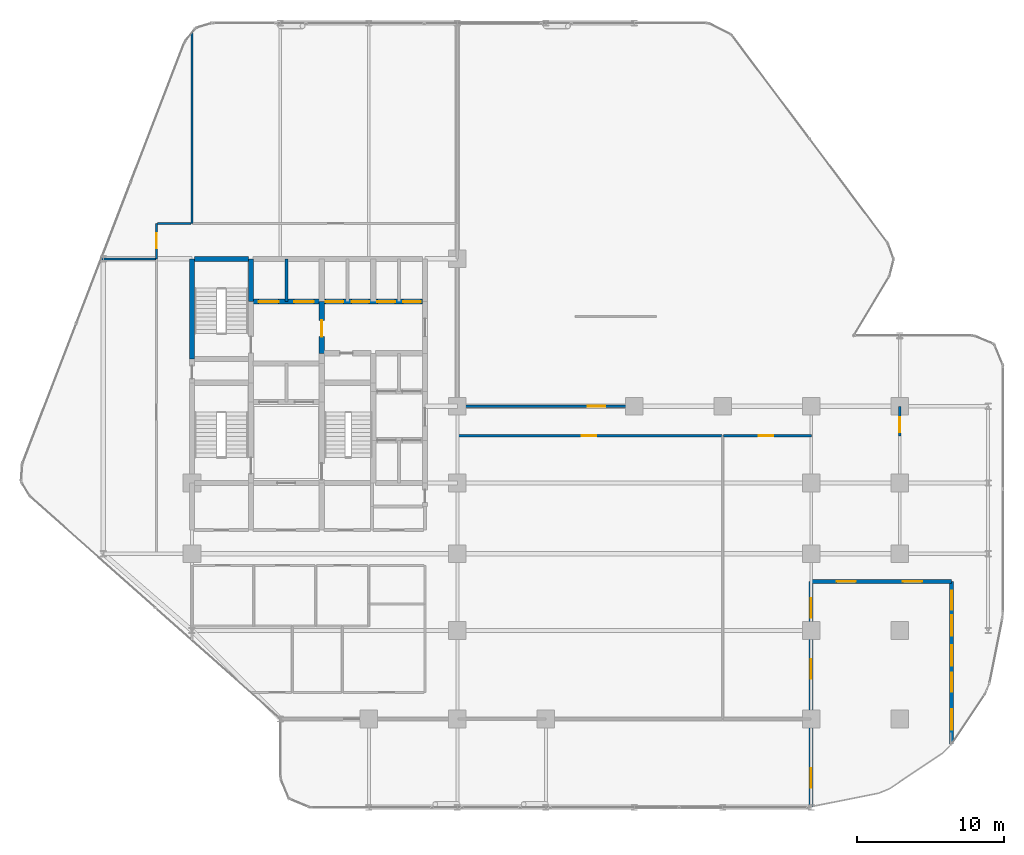
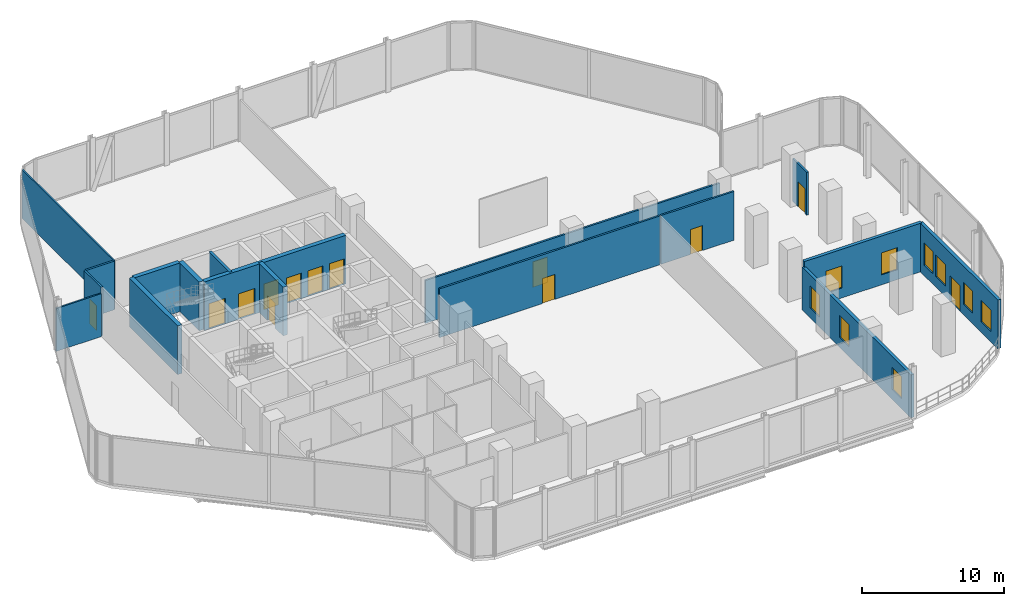
# One storey, part 28 of 30: 17 walls, 13 doors, 9 windows, 22 openings.
"""IFC4 building model written with IfcOpenShell, lengths in metres."""

from ifc_helpers import new_model, si_unit, direction, frame, frame_2d, origin, place, context, subcontext, project, spatial, rectangle, extrude, material, layer, layer_set, type_object, element, fill, save


model = new_model("IFC4")

# Units and contexts
model_context = context("Model", 3, precision=1e-05, world=origin(), true_north=direction((0.0, 1.0)))
body_context = subcontext(model_context, "Body", "Model", "MODEL_VIEW")
ifc_project = project(units=[si_unit("LENGTHUNIT", "METRE"), si_unit("AREAUNIT", "SQUARE_METRE"), si_unit("VOLUMEUNIT", "CUBIC_METRE"), si_unit("PLANEANGLEUNIT", "RADIAN"), si_unit("MASSUNIT", "GRAM", prefix="KILO")], contexts=[model_context])

# Site, building, storey
site_placement = place(None, origin())
site = spatial("IfcSite", under=ifc_project, at=site_placement, CompositionType="ELEMENT")
building_placement = place(site_placement, origin())
building = spatial("IfcBuilding", under=site, at=building_placement, Name="Keshet Zoharim Tower", CompositionType="ELEMENT")
storey_placement = place(building_placement, frame((0.0, 0.0, 65.60009765625)))
storey = spatial("IfcBuildingStorey", under=building, at=storey_placement, Name="L15", CompositionType="ELEMENT", Elevation=65.60009765625)

# Wall, opening, door
ifc_material_1 = material(Name="Gypsum Plasterboard", Category="gypsum")
ifc_layer_1 = layer(ifc_material_1, 0.14990234375)
ifc_layer_set_1 = layer_set([ifc_layer_1], Name="Gypsum Plasterboard")
wall_type_1 = type_object("IfcWallType", Name="WL-CLIN-150", PredefinedType="STANDARD", material=ifc_layer_set_1)
wall_1_placement = place(storey_placement, frame((12.60009765625, 37.89990234375, 0.0), z_axis=(0.0, 0.0, 1.0), x_axis=(0.0, 1.0, 0.0)))
wall_1 = element("IfcWall", 1, at=wall_1_placement, inside=storey, type_object=wall_type_1, Name="L15 Interior Wall 002", PredefinedType="STANDARD", context=body_context, shape_type="SweptSolid", body=[
    extrude(rectangle(XDim=2.400146484375, YDim=0.14990234375, at=frame_2d((1.2001953125, 0.0))), origin(), (0.0, 0.0, 1.0), 4.184814453125),
])
opening_1_placement = place(wall_1_placement, frame((0.72509765625, 0.0, 0.0)))
opening_1 = element("IfcOpeningElement", 2, at=opening_1_placement, cuts=wall_1, Name="Opening D-F310", PredefinedType="OPENING", context=body_context, shape_type="SweptSolid", body=[
    extrude(rectangle(XDim=1.0, YDim=2.14990234375, at=frame_2d((0.5, 1.074951171875))), frame((0.0, 0.0849609375, 0.0), z_axis=(0.0, -1.0, 0.0), x_axis=(1.0, 0.0, 0.0)), (0.0, 0.0, 1.0), 0.169921875),
])
ifc_material_2 = material(Name="Hardwood Timber", Category="wood")
door_type_1 = type_object("IfcDoorType", Name="DR-FD30-100", OperationType="NOTDEFINED", PredefinedType="DOOR", material=ifc_material_2)
door_1_placement = place(opening_1_placement, origin())
door_1 = element("IfcDoor", 3, at=door_1_placement, inside=storey, type_object=door_type_1, Name="L15 North-West Residents Salon Door", OperationType="SINGLE_SWING_LEFT", OverallHeight=2.14990234375, OverallWidth=1.0, PredefinedType="DOOR", context=body_context, shape_type="SweptSolid", body=[
    extrude(rectangle(XDim=1.0, YDim=2.14990234375, at=frame_2d((0.5, 1.074951171875))), frame((0.0, 0.02490234375, 0.0), z_axis=(0.0, -1.0, 0.0), x_axis=(1.0, 0.0, 0.0)), (0.0, 0.0, 1.0), 0.050048828125),
])
fill(opening_1, door_1)

wall_2_placement = place(storey_placement, frame((63.0, 25.89990234375, 0.0), z_axis=(0.0, 0.0, 1.0), x_axis=(0.0, 1.0, 0.0)))
wall_2 = element("IfcWall", 4, at=wall_2_placement, inside=storey, type_object=wall_type_1, Name="L15 Interior Wall 054", PredefinedType="STANDARD", context=body_context, shape_type="SweptSolid", body=[
    extrude(rectangle(XDim=2.0, YDim=0.14990234375, at=frame_2d((1.0, 0.0))), origin(), (0.0, 0.0, 1.0), 3.684814453125),
])
opening_2_placement = place(wall_2_placement, frame((0.2509765625, 0.0, 0.0)))
opening_2 = element("IfcOpeningElement", 5, at=opening_2_placement, cuts=wall_2, Name="Opening D-F310", PredefinedType="OPENING", context=body_context, shape_type="SweptSolid", body=[
    extrude(rectangle(XDim=1.0, YDim=2.14990234375, at=frame_2d((0.5, 1.074951171875))), frame((0.0, 0.0849609375, 0.0), z_axis=(0.0, -1.0, 0.0), x_axis=(1.0, 0.0, 0.0)), (0.0, 0.0, 1.0), 0.169921875),
])
door_2_placement = place(opening_2_placement, origin())
door_2 = element("IfcDoor", 6, at=door_2_placement, inside=storey, type_object=door_type_1, Name="L15 East Sky Reading Room Door", OperationType="SINGLE_SWING_RIGHT", OverallHeight=2.14990234375, OverallWidth=1.0, PredefinedType="DOOR", context=body_context, shape_type="SweptSolid", body=[
    extrude(rectangle(XDim=1.0, YDim=2.14990234375, at=frame_2d((0.5, 1.074951171875))), frame((0.0, 0.02490234375, 0.0), z_axis=(0.0, -1.0, 0.0), x_axis=(1.0, 0.0, 0.0)), (0.0, 0.0, 1.0), 0.050048828125),
])
fill(opening_2, door_2)

wall_3_placement = place(storey_placement, frame((33.06005859375, 25.89990234375, 0.0), z_axis=(0.0, 0.0, 1.0), x_axis=(1.0, 0.0, 0.0)))
wall_3 = element("IfcWall", 7, at=wall_3_placement, inside=storey, type_object=wall_type_1, Name="L15 Interior Wall 079", PredefinedType="STANDARD", context=body_context, shape_type="SweptSolid", body=[
    extrude(rectangle(XDim=17.89501953125, YDim=0.14990234375, at=frame_2d((8.947509765625, 0.0))), origin(), (0.0, 0.0, 1.0), 4.184814453125),
])
opening_3_placement = place(wall_3_placement, frame((8.368896484375, 0.0, 0.0)))
opening_3 = element("IfcOpeningElement", 8, at=opening_3_placement, cuts=wall_3, Name="Opening D-F310", PredefinedType="OPENING", context=body_context, shape_type="SweptSolid", body=[
    extrude(rectangle(XDim=1.0, YDim=2.14990234375, at=frame_2d((0.5, 1.074951171875))), frame((0.0, 0.0849609375, 0.0), z_axis=(0.0, -1.0, 0.0), x_axis=(1.0, 0.0, 0.0)), (0.0, 0.0, 1.0), 0.169921875),
])
door_3_placement = place(opening_3_placement, origin())
door_3 = element("IfcDoor", 9, at=door_3_placement, inside=storey, type_object=door_type_1, Name="L15 Residents Dining Lounge Door", OperationType="SINGLE_SWING_RIGHT", OverallHeight=2.14990234375, OverallWidth=1.0, PredefinedType="DOOR", context=body_context, shape_type="SweptSolid", body=[
    extrude(rectangle(XDim=1.0, YDim=2.14990234375, at=frame_2d((0.5, 1.074951171875))), frame((0.0, 0.02490234375, 0.0), z_axis=(0.0, -1.0, 0.0), x_axis=(1.0, 0.0, 0.0)), (0.0, 0.0, 1.0), 0.050048828125),
])
fill(opening_3, door_3)

wall_4_placement = place(storey_placement, frame((51.044921875, 25.89990234375, 0.0), z_axis=(0.0, 0.0, 1.0), x_axis=(1.0, 0.0, 0.0)))
wall_4 = element("IfcWall", 10, at=wall_4_placement, inside=storey, type_object=wall_type_1, Name="L15 Interior Wall 080", PredefinedType="STANDARD", context=body_context, shape_type="SweptSolid", body=[
    extrude(rectangle(XDim=5.955078125, YDim=0.14990234375, at=frame_2d((2.9775390625, 0.0))), origin(), (0.0, 0.0, 1.0), 4.184814453125),
])
opening_4_placement = place(wall_4_placement, frame((2.384033203125, 0.0, 0.0)))
opening_4 = element("IfcOpeningElement", 11, at=opening_4_placement, cuts=wall_4, Name="Opening D-F310", PredefinedType="OPENING", context=body_context, shape_type="SweptSolid", body=[
    extrude(rectangle(XDim=1.0, YDim=2.14990234375, at=frame_2d((0.5, 1.074951171875))), frame((0.0, 0.0849609375, 0.0), z_axis=(0.0, -1.0, 0.0), x_axis=(1.0, 0.0, 0.0)), (0.0, 0.0, 1.0), 0.169921875),
])
door_4_placement = place(opening_4_placement, origin())
door_4 = element("IfcDoor", 12, at=door_4_placement, inside=storey, type_object=door_type_1, Name="L15 Residents Study Room Door", OperationType="SINGLE_SWING_LEFT", OverallHeight=2.14990234375, OverallWidth=1.0, PredefinedType="DOOR", context=body_context, shape_type="SweptSolid", body=[
    extrude(rectangle(XDim=1.0, YDim=2.14990234375, at=frame_2d((0.5, 1.074951171875))), frame((0.0, 0.02490234375, 0.0), z_axis=(0.0, -1.0, 0.0), x_axis=(1.0, 0.0, 0.0)), (0.0, 0.0, 1.0), 0.050048828125),
])
fill(opening_4, door_4)

wall_5_placement = place(storey_placement, frame((33.06005859375, 27.89990234375, 0.0), z_axis=(0.0, 0.0, 1.0), x_axis=(1.0, 0.0, 0.0)))
wall_5 = element("IfcWall", 13, at=wall_5_placement, inside=storey, type_object=wall_type_1, Name="L15 Interior Wall 081", PredefinedType="STANDARD", context=body_context, shape_type="SweptSolid", body=[
    extrude(rectangle(XDim=23.93994140625, YDim=0.14990234375, at=frame_2d((11.969970703125, 0.0))), origin(), (0.0, 0.0, 1.0), 3.684814453125),
])
opening_5_placement = place(wall_5_placement, frame((8.77001953125, 0.0, 0.0)))
opening_5 = element("IfcOpeningElement", 14, at=opening_5_placement, cuts=wall_5, Name="Opening D-F612", PredefinedType="OPENING", context=body_context, shape_type="SweptSolid", body=[
    extrude(rectangle(XDim=1.199951171875, YDim=2.199951171875, at=frame_2d((0.60009765625, 1.10009765625))), frame((0.0, 0.0849609375, 0.0), z_axis=(0.0, -1.0, 0.0), x_axis=(1.0, 0.0, 0.0)), (0.0, 0.0, 1.0), 0.169921875),
])
door_type_2 = type_object("IfcDoorType", Name="DR-FD60-120", OperationType="NOTDEFINED", PredefinedType="DOOR", material=ifc_material_2)
door_5_placement = place(opening_5_placement, origin())
door_5 = element("IfcDoor", 15, at=door_5_placement, inside=storey, type_object=door_type_2, Name="L15 Community Assembly Hall Door", OperationType="SINGLE_SWING_RIGHT", OverallHeight=2.199951171875, OverallWidth=1.199951171875, PredefinedType="DOOR", context=body_context, shape_type="SweptSolid", body=[
    extrude(rectangle(XDim=1.199951171875, YDim=2.199951171875, at=frame_2d((0.60009765625, 1.10009765625))), frame((0.0, 0.02490234375, 0.0), z_axis=(0.0, -1.0, 0.0), x_axis=(1.0, 0.0, 0.0)), (0.0, 0.0, 1.0), 0.050048828125),
])
fill(opening_5, door_5)

# Walls
wall_6_placement = place(storey_placement, frame((12.659912109375, 40.300048828125, 0.0), z_axis=(0.0, 0.0, 1.0), x_axis=(1.0, 0.0, 0.0)))
element("IfcWall", 16, at=wall_6_placement, inside=storey, type_object=wall_type_1, Name="L15 Interior Wall 094", PredefinedType="STANDARD", context=body_context, shape_type="SweptSolid", body=[
    extrude(rectangle(XDim=2.295166015625, YDim=0.14990234375, at=frame_2d((1.1474609375, 0.0))), origin(), (0.0, 0.0, 1.0), 4.184814453125),
])
ifc_material_3 = material(Name="Concrete C60/75", Category="concrete")
ifc_layer_2 = layer(ifc_material_3, 0.35009765625)
ifc_layer_set_2 = layer_set([ifc_layer_2], Name="Concrete C60/75")
wall_type_2 = type_object("IfcWallType", Name="WL-CORE-350", PredefinedType="SHEAR", material=ifc_layer_set_2)
wall_7_placement = place(storey_placement, frame((15.0, 31.10009765625, 0.0), z_axis=(0.0, 0.0, 1.0), x_axis=(0.0, 1.0, 0.0)))
element("IfcWall", 17, at=wall_7_placement, inside=storey, type_object=wall_type_2, Name="L15 Core Shear Wall 008", PredefinedType="SHEAR", context=body_context, shape_type="SweptSolid", body=[
    extrude(rectangle(XDim=6.7998046875, YDim=0.35009765625, at=frame_2d((3.39990234375, 0.0))), origin(), (0.0, 0.0, 1.0), 4.184814453125),
])
wall_8_placement = place(storey_placement, frame((19.0, 35.0, 0.0), z_axis=(0.0, 0.0, 1.0), x_axis=(0.0, 1.0, 0.0)))
element("IfcWall", 18, at=wall_8_placement, inside=storey, type_object=wall_type_2, Name="L15 Core Shear Wall 014", PredefinedType="SHEAR", context=body_context, shape_type="SweptSolid", body=[
    extrude(rectangle(XDim=2.89990234375, YDim=0.35009765625, at=frame_2d((1.449951171875, 0.0))), origin(), (0.0, 0.0, 1.0), 4.184814453125),
])

# Wall, opening, door
wall_9_placement = place(storey_placement, frame((23.800048828125, 31.5, 0.0), z_axis=(0.0, 0.0, 1.0), x_axis=(0.0, 1.0, 0.0)))
wall_9 = element("IfcWall", 19, at=wall_9_placement, inside=storey, type_object=wall_type_2, Name="L15 Core Shear Wall 025", PredefinedType="SHEAR", context=body_context, shape_type="SweptSolid", body=[
    extrude(rectangle(XDim=3.5, YDim=0.35009765625, at=frame_2d((1.75, 0.0))), origin(), (0.0, 0.0, 1.0), 4.184814453125),
])
opening_6_placement = place(wall_9_placement, frame((1.126953125, 0.0, 0.0)))
opening_6 = element("IfcOpeningElement", 20, at=opening_6_placement, cuts=wall_9, Name="Opening D-F611", PredefinedType="OPENING", context=body_context, shape_type="SweptSolid", body=[
    extrude(rectangle(XDim=1.10009765625, YDim=2.14990234375, at=frame_2d((0.550048828125, 1.074951171875))), frame((0.0, 0.18505859375, 0.0), z_axis=(0.0, -1.0, 0.0), x_axis=(1.0, 0.0, 0.0)), (0.0, 0.0, 1.0), 0.3701171875),
])
door_type_3 = type_object("IfcDoorType", Name="DR-FD60-110", OperationType="NOTDEFINED", PredefinedType="DOOR", material=ifc_material_2)
door_6_placement = place(opening_6_placement, origin())
door_6 = element("IfcDoor", 21, at=door_6_placement, inside=storey, type_object=door_type_3, Name="L15 Firefighting Lobby Fire Door", OperationType="SINGLE_SWING_RIGHT", OverallHeight=2.14990234375, OverallWidth=1.10009765625, PredefinedType="DOOR", context=body_context, shape_type="SweptSolid", body=[
    extrude(rectangle(XDim=1.10009765625, YDim=2.14990234375, at=frame_2d((0.550048828125, 1.074951171875))), frame((0.0, 0.02490234375, 0.0), z_axis=(0.0, -1.0, 0.0), x_axis=(1.0, 0.0, 0.0)), (0.0, 0.0, 1.0), 0.050048828125),
])
fill(opening_6, door_6)

# Wall, openings, doors
wall_10_placement = place(storey_placement, frame((19.159912109375, 35.0, 0.0), z_axis=(0.0, 0.0, 1.0), x_axis=(1.0, 0.0, 0.0)))
wall_10 = element("IfcWall", 22, at=wall_10_placement, inside=storey, type_object=wall_type_2, Name="L15 Core Shear Wall 090", PredefinedType="SHEAR", context=body_context, shape_type="SweptSolid", body=[
    extrude(rectangle(XDim=11.47998046875, YDim=0.35009765625, at=frame_2d((5.739990234375, 0.0))), origin(), (0.0, 0.0, 1.0), 4.184814453125),
])
opening_7_placement = place(wall_10_placement, frame((0.364990234375, 0.0, 0.0)))
opening_7 = element("IfcOpeningElement", 23, at=opening_7_placement, cuts=wall_10, Name="Opening LD-02", PredefinedType="OPENING", context=body_context, shape_type="SweptSolid", body=[
    extrude(rectangle(XDim=1.35009765625, YDim=2.199951171875, at=frame_2d((0.675048828125, 1.10009765625))), frame((0.0, 0.18505859375, 0.0), z_axis=(0.0, -1.0, 0.0), x_axis=(1.0, 0.0, 0.0)), (0.0, 0.0, 1.0), 0.3701171875),
])
opening_8_placement = place(wall_10_placement, frame((2.764892578125, 0.0, 0.0)))
opening_8 = element("IfcOpeningElement", 24, at=opening_8_placement, cuts=wall_10, Name="Opening LD-02", PredefinedType="OPENING", context=body_context, shape_type="SweptSolid", body=[
    extrude(rectangle(XDim=1.35009765625, YDim=2.199951171875, at=frame_2d((0.675048828125, 1.10009765625))), frame((0.0, 0.18505859375, 0.0), z_axis=(0.0, -1.0, 0.0), x_axis=(1.0, 0.0, 0.0)), (0.0, 0.0, 1.0), 0.3701171875),
])
opening_9_placement = place(wall_10_placement, frame((4.9150390625, 0.0, 0.0)))
opening_9 = element("IfcOpeningElement", 25, at=opening_9_placement, cuts=wall_10, Name="Opening LD-03", PredefinedType="OPENING", context=body_context, shape_type="SweptSolid", body=[
    extrude(rectangle(XDim=1.199951171875, YDim=2.199951171875, at=frame_2d((0.60009765625, 1.10009765625))), frame((0.0, 0.18505859375, 0.0), z_axis=(0.0, -1.0, 0.0), x_axis=(1.0, 0.0, 0.0)), (0.0, 0.0, 1.0), 0.3701171875),
])
opening_10_placement = place(wall_10_placement, frame((6.6650390625, 0.0, 0.0)))
opening_10 = element("IfcOpeningElement", 26, at=opening_10_placement, cuts=wall_10, Name="Opening LD-03", PredefinedType="OPENING", context=body_context, shape_type="SweptSolid", body=[
    extrude(rectangle(XDim=1.199951171875, YDim=2.199951171875, at=frame_2d((0.60009765625, 1.10009765625))), frame((0.0, 0.18505859375, 0.0), z_axis=(0.0, -1.0, 0.0), x_axis=(1.0, 0.0, 0.0)), (0.0, 0.0, 1.0), 0.3701171875),
])
opening_11_placement = place(wall_10_placement, frame((8.4150390625, 0.0, 0.0)))
opening_11 = element("IfcOpeningElement", 27, at=opening_11_placement, cuts=wall_10, Name="Opening LD-03", PredefinedType="OPENING", context=body_context, shape_type="SweptSolid", body=[
    extrude(rectangle(XDim=1.199951171875, YDim=2.199951171875, at=frame_2d((0.60009765625, 1.10009765625))), frame((0.0, 0.18505859375, 0.0), z_axis=(0.0, -1.0, 0.0), x_axis=(1.0, 0.0, 0.0)), (0.0, 0.0, 1.0), 0.3701171875),
])
opening_12_placement = place(wall_10_placement, frame((10.159912109375, 0.0, 0.0)))
opening_12 = element("IfcOpeningElement", 28, at=opening_12_placement, cuts=wall_10, Name="Opening LD-03", PredefinedType="OPENING", context=body_context, shape_type="SweptSolid", body=[
    extrude(rectangle(XDim=1.199951171875, YDim=2.199951171875, at=frame_2d((0.60009765625, 1.10009765625))), frame((0.0, 0.18505859375, 0.0), z_axis=(0.0, -1.0, 0.0), x_axis=(1.0, 0.0, 0.0)), (0.0, 0.0, 1.0), 0.3701171875),
])
ifc_material_4 = material(Name="Steel S355", Category="steel")
door_type_4 = type_object("IfcDoorType", Name="DR-LD02-135", OperationType="DOUBLE_DOOR_SLIDING", PredefinedType="DOOR", material=ifc_material_4)
door_7_placement = place(opening_7_placement, origin())
door_7 = element("IfcDoor", 29, at=door_7_placement, inside=storey, type_object=door_type_4, Name="L15 Firefighting Lift Landing Door FF-01", OperationType="DOUBLE_DOOR_SLIDING", OverallHeight=2.199951171875, OverallWidth=1.35009765625, PredefinedType="DOOR", context=body_context, shape_type="SweptSolid", body=[
    extrude(rectangle(XDim=1.35009765625, YDim=2.199951171875, at=frame_2d((0.675048828125, 1.10009765625))), frame((0.0, 0.02490234375, 0.0), z_axis=(0.0, -1.0, 0.0), x_axis=(1.0, 0.0, 0.0)), (0.0, 0.0, 1.0), 0.050048828125),
])
fill(opening_7, door_7)
door_8_placement = place(opening_8_placement, origin())
door_8 = element("IfcDoor", 30, at=door_8_placement, inside=storey, type_object=door_type_4, Name="L15 Firefighting Lift Landing Door FF-02", OperationType="DOUBLE_DOOR_SLIDING", OverallHeight=2.199951171875, OverallWidth=1.35009765625, PredefinedType="DOOR", context=body_context, shape_type="SweptSolid", body=[
    extrude(rectangle(XDim=1.35009765625, YDim=2.199951171875, at=frame_2d((0.675048828125, 1.10009765625))), frame((0.0, 0.02490234375, 0.0), z_axis=(0.0, -1.0, 0.0), x_axis=(1.0, 0.0, 0.0)), (0.0, 0.0, 1.0), 0.050048828125),
])
fill(opening_8, door_8)
door_type_5 = type_object("IfcDoorType", Name="DR-LD03-120", OperationType="DOUBLE_DOOR_SLIDING", PredefinedType="DOOR", material=ifc_material_4)
door_9_placement = place(opening_9_placement, origin())
door_9 = element("IfcDoor", 31, at=door_9_placement, inside=storey, type_object=door_type_5, Name="L15 Passenger Lift Landing Door LF-01", OperationType="DOUBLE_DOOR_SLIDING", OverallHeight=2.199951171875, OverallWidth=1.199951171875, PredefinedType="DOOR", context=body_context, shape_type="SweptSolid", body=[
    extrude(rectangle(XDim=1.199951171875, YDim=2.199951171875, at=frame_2d((0.60009765625, 1.10009765625))), frame((0.0, 0.02490234375, 0.0), z_axis=(0.0, -1.0, 0.0), x_axis=(1.0, 0.0, 0.0)), (0.0, 0.0, 1.0), 0.050048828125),
])
fill(opening_9, door_9)
door_10_placement = place(opening_10_placement, origin())
door_10 = element("IfcDoor", 32, at=door_10_placement, inside=storey, type_object=door_type_5, Name="L15 Passenger Lift Landing Door LF-02", OperationType="DOUBLE_DOOR_SLIDING", OverallHeight=2.199951171875, OverallWidth=1.199951171875, PredefinedType="DOOR", context=body_context, shape_type="SweptSolid", body=[
    extrude(rectangle(XDim=1.199951171875, YDim=2.199951171875, at=frame_2d((0.60009765625, 1.10009765625))), frame((0.0, 0.02490234375, 0.0), z_axis=(0.0, -1.0, 0.0), x_axis=(1.0, 0.0, 0.0)), (0.0, 0.0, 1.0), 0.050048828125),
])
fill(opening_10, door_10)
door_11_placement = place(opening_11_placement, origin())
door_11 = element("IfcDoor", 33, at=door_11_placement, inside=storey, type_object=door_type_5, Name="L15 Passenger Lift Landing Door LF-03", OperationType="DOUBLE_DOOR_SLIDING", OverallHeight=2.199951171875, OverallWidth=1.199951171875, PredefinedType="DOOR", context=body_context, shape_type="SweptSolid", body=[
    extrude(rectangle(XDim=1.199951171875, YDim=2.199951171875, at=frame_2d((0.60009765625, 1.10009765625))), frame((0.0, 0.02490234375, 0.0), z_axis=(0.0, -1.0, 0.0), x_axis=(1.0, 0.0, 0.0)), (0.0, 0.0, 1.0), 0.050048828125),
])
fill(opening_11, door_11)
door_12_placement = place(opening_12_placement, origin())
door_12 = element("IfcDoor", 34, at=door_12_placement, inside=storey, type_object=door_type_5, Name="L15 Passenger Lift Landing Door LF-04", OperationType="DOUBLE_DOOR_SLIDING", OverallHeight=2.199951171875, OverallWidth=1.199951171875, PredefinedType="DOOR", context=body_context, shape_type="SweptSolid", body=[
    extrude(rectangle(XDim=1.199951171875, YDim=2.199951171875, at=frame_2d((0.60009765625, 1.10009765625))), frame((0.0, 0.02490234375, 0.0), z_axis=(0.0, -1.0, 0.0), x_axis=(1.0, 0.0, 0.0)), (0.0, 0.0, 1.0), 0.050048828125),
])
fill(opening_12, door_12)

# Wall
wall_11_placement = place(storey_placement, frame((15.159912109375, 37.89990234375, 0.0), z_axis=(0.0, 0.0, 1.0), x_axis=(1.0, 0.0, 0.0)))
element("IfcWall", 35, at=wall_11_placement, inside=storey, type_object=wall_type_2, Name="L15 Core Shear Wall 092", PredefinedType="SHEAR", context=body_context, shape_type="SweptSolid", body=[
    extrude(rectangle(XDim=3.68017578125, YDim=0.35009765625, at=frame_2d((1.840087890625, 0.0))), origin(), (0.0, 0.0, 1.0), 4.184814453125),
])

# Wall, openings, door, windows
ifc_material_5 = material(Name="Concrete C50/60 precast", Category="concrete")
ifc_layer_3 = layer(ifc_material_5, 0.260009765625)
ifc_layer_set_3 = layer_set([ifc_layer_3], Name="Concrete C50/60 precast")
wall_type_3 = type_object("IfcWallType", Name="WL-EXT-260", PredefinedType="STANDARD", material=ifc_layer_set_3)
wall_12_placement = place(storey_placement, frame((66.52001953125, 4.998046875, 0.0), z_axis=(0.0, 0.0, 1.0), x_axis=(0.0, 1.0, 0.0)))
wall_12 = element("IfcWall", 36, at=wall_12_placement, inside=storey, type_object=wall_type_3, Name="L15 Exterior Facade Wall 01", PredefinedType="STANDARD", context=body_context, shape_type="SweptSolid", body=[
    extrude(rectangle(XDim=11.02197265625, YDim=0.260009765625, at=frame_2d((5.510986328125, 0.0))), origin(), (0.0, 0.0, 1.0), 4.184814453125),
])
opening_13_placement = place(wall_12_placement, frame((5.31201171875, 0.0, 0.0)))
opening_13 = element("IfcOpeningElement", 37, at=opening_13_placement, cuts=wall_12, Name="Opening D-TR14", PredefinedType="OPENING", context=body_context, shape_type="SweptSolid", body=[
    extrude(rectangle(XDim=1.39990234375, YDim=2.199951171875, at=frame_2d((0.699951171875, 1.10009765625))), frame((0.0, 0.14013671875, 0.0), z_axis=(0.0, -1.0, 0.0), x_axis=(1.0, 0.0, 0.0)), (0.0, 0.0, 1.0), 0.280029296875),
])
opening_14_placement = place(wall_12_placement, frame((0.97802734375, 0.0, 0.89990234375)))
opening_14 = element("IfcOpeningElement", 38, at=opening_14_placement, cuts=wall_12, Name="Opening W-140", PredefinedType="OPENING", context=body_context, shape_type="SweptSolid", body=[
    extrude(rectangle(XDim=1.39990234375, YDim=1.85009765625, at=frame_2d((0.699951171875, 0.925048828125))), frame((0.0, 0.14013671875, 0.0), z_axis=(0.0, -1.0, 0.0), x_axis=(1.0, 0.0, 0.0)), (0.0, 0.0, 1.0), 0.280029296875),
])
opening_15_placement = place(wall_12_placement, frame((3.532958984375, 0.0, 0.89990234375)))
opening_15 = element("IfcOpeningElement", 39, at=opening_15_placement, cuts=wall_12, Name="Opening W-130", PredefinedType="OPENING", context=body_context, shape_type="SweptSolid", body=[
    extrude(rectangle(XDim=1.300048828125, YDim=1.89990234375, at=frame_2d((0.64990234375, 0.949951171875))), frame((0.0, 0.14013671875, 0.0), z_axis=(0.0, -1.0, 0.0), x_axis=(1.0, 0.0, 0.0)), (0.0, 0.0, 1.0), 0.280029296875),
])
opening_16_placement = place(wall_12_placement, frame((7.339111328125, 0.0, 0.89990234375)))
opening_16 = element("IfcOpeningElement", 40, at=opening_16_placement, cuts=wall_12, Name="Opening W-140", PredefinedType="OPENING", context=body_context, shape_type="SweptSolid", body=[
    extrude(rectangle(XDim=1.39990234375, YDim=1.85009765625, at=frame_2d((0.699951171875, 0.925048828125))), frame((0.0, 0.14013671875, 0.0), z_axis=(0.0, -1.0, 0.0), x_axis=(1.0, 0.0, 0.0)), (0.0, 0.0, 1.0), 0.280029296875),
])
opening_17_placement = place(wall_12_placement, frame((9.093994140625, 0.0, 0.89990234375)))
opening_17 = element("IfcOpeningElement", 41, at=opening_17_placement, cuts=wall_12, Name="Opening W-130", PredefinedType="OPENING", context=body_context, shape_type="SweptSolid", body=[
    extrude(rectangle(XDim=1.300048828125, YDim=1.89990234375, at=frame_2d((0.64990234375, 0.949951171875))), frame((0.0, 0.14013671875, 0.0), z_axis=(0.0, -1.0, 0.0), x_axis=(1.0, 0.0, 0.0)), (0.0, 0.0, 1.0), 0.280029296875),
])
ifc_material_6 = material(Name="Aluminium 6063-T6", Category="aluminium")
door_type_6 = type_object("IfcDoorType", Name="DR-TER-140", OperationType="DOUBLE_DOOR_SINGLE_SWING", PredefinedType="DOOR", material=ifc_material_6)
door_13_placement = place(opening_13_placement, origin())
door_13 = element("IfcDoor", 42, at=door_13_placement, inside=storey, type_object=door_type_6, Name="L15 Sky Terrace Access Door 01", OperationType="DOUBLE_DOOR_SINGLE_SWING", OverallHeight=2.199951171875, OverallWidth=1.39990234375, PredefinedType="DOOR", context=body_context, shape_type="SweptSolid", body=[
    extrude(rectangle(XDim=1.39990234375, YDim=2.199951171875, at=frame_2d((0.699951171875, 1.10009765625))), frame((0.0, 0.02490234375, 0.0), z_axis=(0.0, -1.0, 0.0), x_axis=(1.0, 0.0, 0.0)), (0.0, 0.0, 1.0), 0.050048828125),
])
fill(opening_13, door_13)
ifc_material_7 = material(Name="Insulated Low-E Clear Glass", Category="glass")
window_type_1 = type_object("IfcWindowType", Name="WN-CRN-130", PartitioningType="SINGLE_PANEL", PredefinedType="WINDOW", material=ifc_material_7)
window_1_placement = place(opening_15_placement, origin())
window_1 = element("IfcWindow", 43, at=window_1_placement, inside=storey, type_object=window_type_1, Name="L15 Terrace Side Window 02", OverallHeight=1.89990234375, OverallWidth=1.300048828125, PartitioningType="SINGLE_PANEL", PredefinedType="WINDOW", context=body_context, shape_type="SweptSolid", body=[
    extrude(rectangle(XDim=1.300048828125, YDim=1.89990234375, at=frame_2d((0.64990234375, 0.949951171875))), frame((0.0, 0.030029296875, 0.0), z_axis=(0.0, -1.0, 0.0), x_axis=(1.0, 0.0, 0.0)), (0.0, 0.0, 1.0), 0.06005859375),
])
fill(opening_15, window_1)
window_2_placement = place(opening_17_placement, origin())
window_2 = element("IfcWindow", 44, at=window_2_placement, inside=storey, type_object=window_type_1, Name="L15 Terrace Side Window 04", OverallHeight=1.89990234375, OverallWidth=1.300048828125, PartitioningType="SINGLE_PANEL", PredefinedType="WINDOW", context=body_context, shape_type="SweptSolid", body=[
    extrude(rectangle(XDim=1.300048828125, YDim=1.89990234375, at=frame_2d((0.64990234375, 0.949951171875))), frame((0.0, 0.030029296875, 0.0), z_axis=(0.0, -1.0, 0.0), x_axis=(1.0, 0.0, 0.0)), (0.0, 0.0, 1.0), 0.06005859375),
])
fill(opening_17, window_2)
window_type_2 = type_object("IfcWindowType", Name="WN-TER-140", PartitioningType="SINGLE_PANEL", PredefinedType="WINDOW", material=ifc_material_7)
window_3_placement = place(opening_14_placement, origin())
window_3 = element("IfcWindow", 45, at=window_3_placement, inside=storey, type_object=window_type_2, Name="L15 Terrace Side Window 01", OverallHeight=1.85009765625, OverallWidth=1.39990234375, PartitioningType="SINGLE_PANEL", PredefinedType="WINDOW", context=body_context, shape_type="SweptSolid", body=[
    extrude(rectangle(XDim=1.39990234375, YDim=1.85009765625, at=frame_2d((0.699951171875, 0.925048828125))), frame((0.0, 0.030029296875, 0.0), z_axis=(0.0, -1.0, 0.0), x_axis=(1.0, 0.0, 0.0)), (0.0, 0.0, 1.0), 0.06005859375),
])
fill(opening_14, window_3)
window_4_placement = place(opening_16_placement, origin())
window_4 = element("IfcWindow", 46, at=window_4_placement, inside=storey, type_object=window_type_2, Name="L15 Terrace Side Window 03", OverallHeight=1.85009765625, OverallWidth=1.39990234375, PartitioningType="SINGLE_PANEL", PredefinedType="WINDOW", context=body_context, shape_type="SweptSolid", body=[
    extrude(rectangle(XDim=1.39990234375, YDim=1.85009765625, at=frame_2d((0.699951171875, 0.925048828125))), frame((0.0, 0.030029296875, 0.0), z_axis=(0.0, -1.0, 0.0), x_axis=(1.0, 0.0, 0.0)), (0.0, 0.0, 1.0), 0.06005859375),
])
fill(opening_16, window_4)

# Wall, openings, windows
wall_13_placement = place(storey_placement, frame((66.52001953125, 16.02001953125, 0.0), z_axis=(0.0, 0.0, 1.0), x_axis=(-1.0, 0.0, 0.0)))
wall_13 = element("IfcWall", 47, at=wall_13_placement, inside=storey, type_object=wall_type_3, Name="L15 Exterior Facade Wall 02", PredefinedType="STANDARD", context=body_context, shape_type="SweptSolid", body=[
    extrude(rectangle(XDim=9.5400390625, YDim=0.260009765625, at=frame_2d((4.77001953125, 0.0))), origin(), (0.0, 0.0, 1.0), 4.184814453125),
])
opening_18_placement = place(wall_13_placement, frame((2.0, 0.0, 0.85009765625)))
opening_18 = element("IfcOpeningElement", 48, at=opening_18_placement, cuts=wall_13, Name="Opening W-130", PredefinedType="OPENING", context=body_context, shape_type="SweptSolid", body=[
    extrude(rectangle(XDim=1.300048828125, YDim=1.89990234375, at=frame_2d((0.64990234375, 0.949951171875))), frame((0.0, 0.14013671875, 0.0), z_axis=(0.0, -1.0, 0.0), x_axis=(1.0, 0.0, 0.0)), (0.0, 0.0, 1.0), 0.280029296875),
])
opening_19_placement = place(wall_13_placement, frame((6.5, 0.0, 0.85009765625)))
opening_19 = element("IfcOpeningElement", 49, at=opening_19_placement, cuts=wall_13, Name="Opening W-130", PredefinedType="OPENING", context=body_context, shape_type="SweptSolid", body=[
    extrude(rectangle(XDim=1.300048828125, YDim=1.89990234375, at=frame_2d((0.64990234375, 0.949951171875))), frame((0.0, 0.14013671875, 0.0), z_axis=(0.0, -1.0, 0.0), x_axis=(1.0, 0.0, 0.0)), (0.0, 0.0, 1.0), 0.280029296875),
])
window_5_placement = place(opening_18_placement, origin())
window_5 = element("IfcWindow", 50, at=window_5_placement, inside=storey, type_object=window_type_1, Name="L15 Wind-Corner Window 05", OverallHeight=1.89990234375, OverallWidth=1.300048828125, PartitioningType="SINGLE_PANEL", PredefinedType="WINDOW", context=body_context, shape_type="SweptSolid", body=[
    extrude(rectangle(XDim=1.300048828125, YDim=1.89990234375, at=frame_2d((0.64990234375, 0.949951171875))), frame((0.0, 0.030029296875, 0.0), z_axis=(0.0, -1.0, 0.0), x_axis=(1.0, 0.0, 0.0)), (0.0, 0.0, 1.0), 0.06005859375),
])
fill(opening_18, window_5)
window_6_placement = place(opening_19_placement, origin())
window_6 = element("IfcWindow", 51, at=window_6_placement, inside=storey, type_object=window_type_1, Name="L15 Wind-Corner Window 06", OverallHeight=1.89990234375, OverallWidth=1.300048828125, PartitioningType="SINGLE_PANEL", PredefinedType="WINDOW", context=body_context, shape_type="SweptSolid", body=[
    extrude(rectangle(XDim=1.300048828125, YDim=1.89990234375, at=frame_2d((0.64990234375, 0.949951171875))), frame((0.0, 0.030029296875, 0.0), z_axis=(0.0, -1.0, 0.0), x_axis=(1.0, 0.0, 0.0)), (0.0, 0.0, 1.0), 0.06005859375),
])
fill(opening_19, window_6)

wall_14_placement = place(storey_placement, frame((56.97998046875, 16.02001953125, 0.0), z_axis=(0.0, 0.0, 1.0), x_axis=(0.0, -1.0, 0.0)))
wall_14 = element("IfcWall", 52, at=wall_14_placement, inside=storey, type_object=wall_type_3, Name="L15 Exterior Facade Wall 03", PredefinedType="STANDARD", context=body_context, shape_type="SweptSolid", body=[
    extrude(rectangle(XDim=15.302978515625, YDim=0.260009765625, at=frame_2d((7.6513671875, 0.0))), origin(), (0.0, 0.0, 1.0), 3.684814453125),
])
opening_20_placement = place(wall_14_placement, frame((1.14501953125, 0.0, 0.85009765625)))
opening_20 = element("IfcOpeningElement", 53, at=opening_20_placement, cuts=wall_14, Name="Opening W-130", PredefinedType="OPENING", context=body_context, shape_type="SweptSolid", body=[
    extrude(rectangle(XDim=1.300048828125, YDim=1.89990234375, at=frame_2d((0.64990234375, 0.949951171875))), frame((0.0, 0.14013671875, 0.0), z_axis=(0.0, -1.0, 0.0), x_axis=(1.0, 0.0, 0.0)), (0.0, 0.0, 1.0), 0.280029296875),
])
opening_21_placement = place(wall_14_placement, frame((5.285888671875, 0.0, 0.85009765625)))
opening_21 = element("IfcOpeningElement", 54, at=opening_21_placement, cuts=wall_14, Name="Opening W-130", PredefinedType="OPENING", context=body_context, shape_type="SweptSolid", body=[
    extrude(rectangle(XDim=1.300048828125, YDim=1.89990234375, at=frame_2d((0.64990234375, 0.949951171875))), frame((0.0, 0.14013671875, 0.0), z_axis=(0.0, -1.0, 0.0), x_axis=(1.0, 0.0, 0.0)), (0.0, 0.0, 1.0), 0.280029296875),
])
opening_22_placement = place(wall_14_placement, frame((12.66796875, 0.0, 0.85009765625)))
opening_22 = element("IfcOpeningElement", 55, at=opening_22_placement, cuts=wall_14, Name="Opening W-130", PredefinedType="OPENING", context=body_context, shape_type="SweptSolid", body=[
    extrude(rectangle(XDim=1.300048828125, YDim=1.89990234375, at=frame_2d((0.64990234375, 0.949951171875))), frame((0.0, 0.14013671875, 0.0), z_axis=(0.0, -1.0, 0.0), x_axis=(1.0, 0.0, 0.0)), (0.0, 0.0, 1.0), 0.280029296875),
])
window_7_placement = place(opening_20_placement, origin())
window_7 = element("IfcWindow", 56, at=window_7_placement, inside=storey, type_object=window_type_1, Name="L15 Wind-Corner Window 07", OverallHeight=1.89990234375, OverallWidth=1.300048828125, PartitioningType="SINGLE_PANEL", PredefinedType="WINDOW", context=body_context, shape_type="SweptSolid", body=[
    extrude(rectangle(XDim=1.300048828125, YDim=1.89990234375, at=frame_2d((0.64990234375, 0.949951171875))), frame((0.0, 0.030029296875, 0.0), z_axis=(0.0, -1.0, 0.0), x_axis=(1.0, 0.0, 0.0)), (0.0, 0.0, 1.0), 0.06005859375),
])
fill(opening_20, window_7)
window_8_placement = place(opening_21_placement, origin())
window_8 = element("IfcWindow", 57, at=window_8_placement, inside=storey, type_object=window_type_1, Name="L15 Wind-Corner Window 08", OverallHeight=1.89990234375, OverallWidth=1.300048828125, PartitioningType="SINGLE_PANEL", PredefinedType="WINDOW", context=body_context, shape_type="SweptSolid", body=[
    extrude(rectangle(XDim=1.300048828125, YDim=1.89990234375, at=frame_2d((0.64990234375, 0.949951171875))), frame((0.0, 0.030029296875, 0.0), z_axis=(0.0, -1.0, 0.0), x_axis=(1.0, 0.0, 0.0)), (0.0, 0.0, 1.0), 0.06005859375),
])
fill(opening_21, window_8)
window_9_placement = place(opening_22_placement, origin())
window_9 = element("IfcWindow", 58, at=window_9_placement, inside=storey, type_object=window_type_1, Name="L15 Wind-Corner Window 09", OverallHeight=1.89990234375, OverallWidth=1.300048828125, PartitioningType="SINGLE_PANEL", PredefinedType="WINDOW", context=body_context, shape_type="SweptSolid", body=[
    extrude(rectangle(XDim=1.300048828125, YDim=1.89990234375, at=frame_2d((0.64990234375, 0.949951171875))), frame((0.0, 0.030029296875, 0.0), z_axis=(0.0, -1.0, 0.0), x_axis=(1.0, 0.0, 0.0)), (0.0, 0.0, 1.0), 0.06005859375),
])
fill(opening_22, window_9)

# Walls
ifc_material_8 = material(Name="Concrete C50/60", Category="concrete")
ifc_layer_4 = layer(ifc_material_8, 0.199951171875)
ifc_layer_set_4 = layer_set([ifc_layer_4], Name="Concrete C50/60")
wall_type_4 = type_object("IfcWallType", Name="WL-FIRE-200", PredefinedType="STANDARD", material=ifc_layer_set_4)
wall_15_placement = place(storey_placement, frame((21.39990234375, 35.0, 0.0), z_axis=(0.0, 0.0, 1.0), x_axis=(0.0, 1.0, 0.0)))
element("IfcWall", 59, at=wall_15_placement, inside=storey, type_object=wall_type_4, Name="L15 Interior Wall 017", PredefinedType="STANDARD", context=body_context, shape_type="SweptSolid", body=[
    extrude(rectangle(XDim=2.89990234375, YDim=0.199951171875, at=frame_2d((1.449951171875, 0.0))), origin(), (0.0, 0.0, 1.0), 4.184814453125),
])
ifc_layer_5 = layer(ifc_material_1, 0.1201171875)
ifc_layer_set_5 = layer_set([ifc_layer_5], Name="Gypsum Plasterboard")
wall_type_5 = type_object("IfcWallType", Name="WL-PART-120", PredefinedType="PARTITIONING", material=ifc_layer_set_5)
wall_16_placement = place(storey_placement, frame((15.0, 40.300048828125, 0.0), z_axis=(0.0, 0.0, 1.0), x_axis=(0.0, 1.0, 0.0)))
element("IfcWall", 60, at=wall_16_placement, inside=storey, type_object=wall_type_5, Name="L15 Interior Wall 009", PredefinedType="PARTITIONING", context=body_context, shape_type="SweptSolid", body=[
    extrude(rectangle(XDim=12.932861328125, YDim=0.1201171875, at=frame_2d((6.46630859375, 0.0))), origin(), (0.0, 0.0, 1.0), 4.184814453125),
])
wall_17_placement = place(storey_placement, frame((8.85595703125, 37.89990234375, 0.0), z_axis=(0.0, 0.0, 1.0), x_axis=(1.0, 0.0, 0.0)))
element("IfcWall", 61, at=wall_17_placement, inside=storey, type_object=wall_type_5, Name="L15 Interior Wall 091", PredefinedType="PARTITIONING", context=body_context, shape_type="SweptSolid", body=[
    extrude(rectangle(XDim=3.68408203125, YDim=0.1201171875, at=frame_2d((1.842041015625, 0.0))), origin(), (0.0, 0.0, 1.0), 3.684814453125),
])

save(model, "model.ifc")
